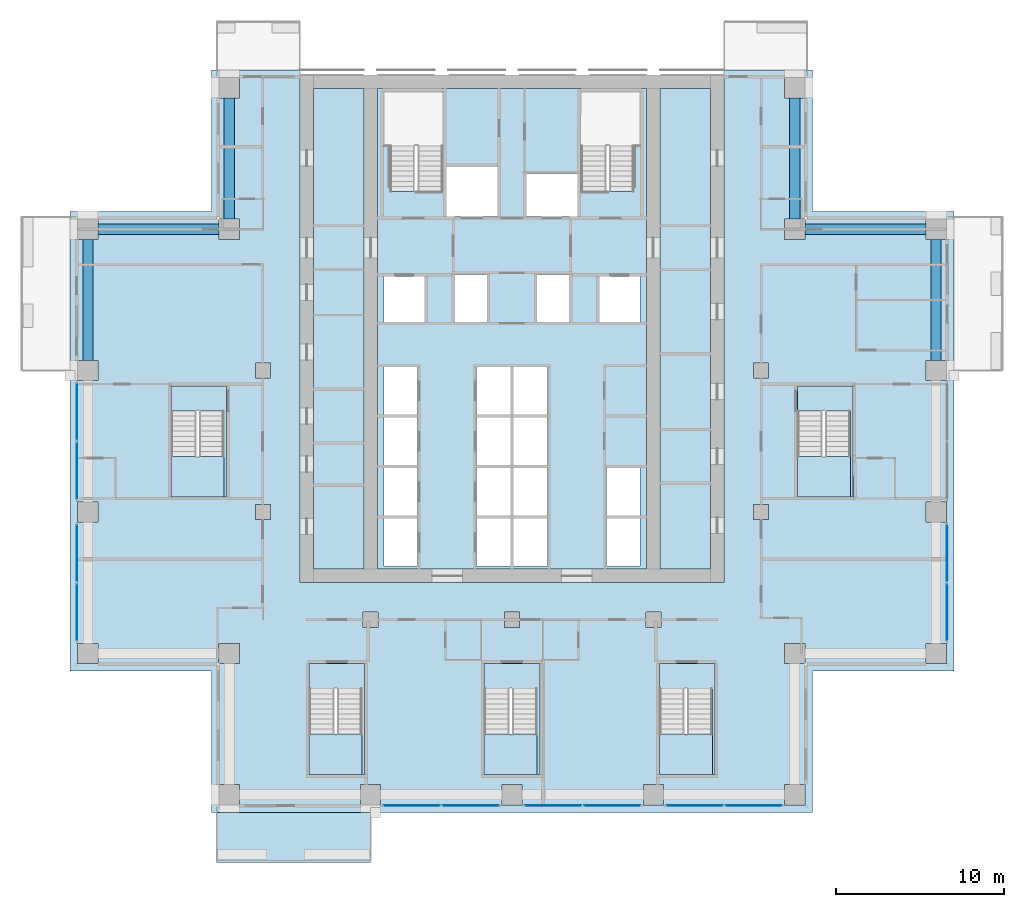
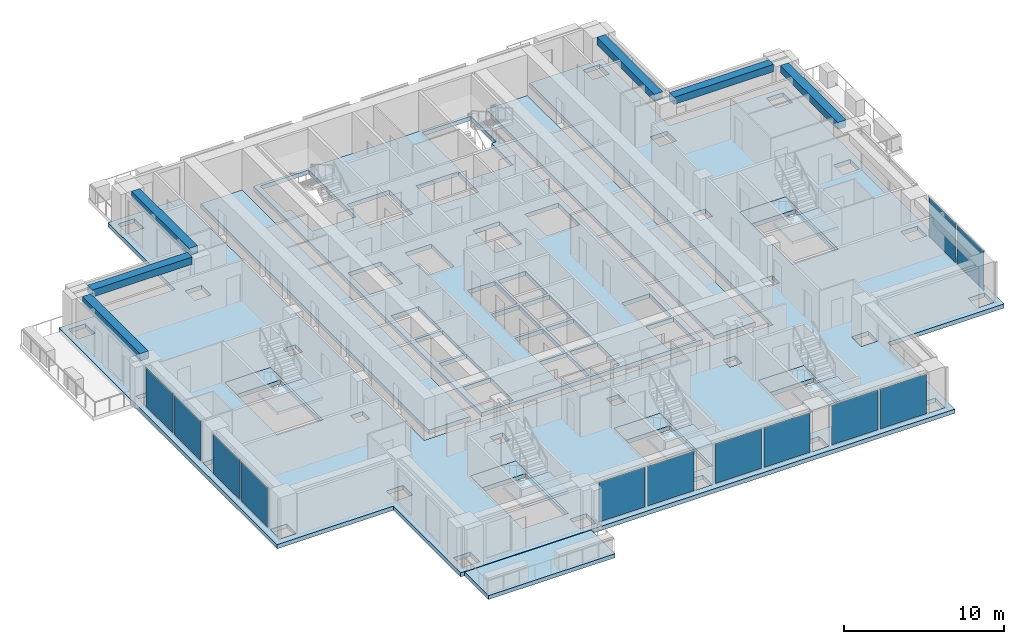
# One storey, part 5 of 17: 15 slabs, 12 plates, 6 beams, 11 elements without a shape of their own.
"""IFC4 building model written with IfcOpenShell, lengths in metres."""

from ifc_helpers import new_model, si_unit, direction, frame, origin, origin_2d, place, context, subcontext, project, spatial, polyline, rectangle, outline, extrude, material, layer, layer_set, material_profile, profile_set, type_object, element, aggregate, save


model = new_model("IFC4")

# Units and contexts
model_context = context("Model", 3, precision=1e-05, world=origin(), true_north=direction((0.0, 1.0)))
body_context = subcontext(model_context, "Body", "Model", "MODEL_VIEW")
ifc_project = project(units=[si_unit("LENGTHUNIT", "METRE"), si_unit("AREAUNIT", "SQUARE_METRE"), si_unit("VOLUMEUNIT", "CUBIC_METRE"), si_unit("PLANEANGLEUNIT", "RADIAN"), si_unit("MASSUNIT", "GRAM", prefix="KILO")], contexts=[model_context])

# Site, building, storey
site_placement = place(None, origin())
site = spatial("IfcSite", under=ifc_project, at=site_placement, CompositionType="ELEMENT")
building_placement = place(site_placement, origin())
building = spatial("IfcBuilding", under=site, at=building_placement, Name="Vermilion Ogive Tower", CompositionType="ELEMENT")
storey_placement = place(building_placement, frame((0.0, 0.0, 87.300048828125)))
storey = spatial("IfcBuildingStorey", under=building, at=storey_placement, Name="L21", CompositionType="ELEMENT", Elevation=87.300048828125)

# Beams
ifc_material_1 = material(Name="Concrete B45", Category="concrete")
ifc_material_profile = material_profile(ifc_material_1, rectangle(XDim=0.60009765625, YDim=0.550048828125, at=origin_2d()), Name="600 x 550")
ifc_profile_set = profile_set([ifc_material_profile], Name="Concrete B45")
beam_type = type_object("IfcBeamType", Name="Edge beam 600 x 550 B45", PredefinedType="BEAM", material=ifc_profile_set)
beam_1_placement = place(storey_placement, frame((25.199951171875, 4.800048828125, 2.85498046875), z_axis=(0.0, 1.0, 0.0), x_axis=(-1.0, 0.0, 0.0)))
element("IfcBeam", 1, at=beam_1_placement, inside=storey, type_object=beam_type, Name="L21-EB-9", PredefinedType="BEAM", context=body_context, shape_type="SweptSolid", body=[
    extrude(rectangle(XDim=0.60009765625, YDim=0.550048828125, at=origin_2d()), origin(), (0.0, 0.0, 1.0), 7.199951171875),
])
beam_2_placement = place(storey_placement, frame((24.60009765625, 12.60009765625, 2.85498046875), z_axis=(-1.0, 0.0, 0.0), x_axis=(0.0, -1.0, 0.0)))
element("IfcBeam", 2, at=beam_2_placement, inside=storey, type_object=beam_type, Name="L21-EB-10", PredefinedType="BEAM", context=body_context, shape_type="SweptSolid", body=[
    extrude(rectangle(XDim=0.60009765625, YDim=0.550048828125, at=origin_2d()), origin(), (0.0, 0.0, 1.0), 7.2001953125),
])
for number, where, z_axis, x_axis, name in (
    (3, (16.800048828125, 13.199951171875, 2.85498046875), (0.0, 1.0, 0.0), (-1.0, 0.0, 0.0), "L21-EB-11"),
    (4, (-16.800048828125, 20.39990234375, 2.85498046875), (0.0, -1.0, 0.0), (1.0, 0.0, 0.0), "L21-EB-12"),
):
    element("IfcBeam", number, at=place(storey_placement, frame(where, z_axis=z_axis, x_axis=x_axis)), inside=storey, type_object=beam_type, Name=name, PredefinedType="BEAM", context=body_context, shape_type="SweptSolid", body=[
        extrude(rectangle(XDim=0.60009765625, YDim=0.550048828125, at=origin_2d()), origin(), (0.0, 0.0, 1.0), 7.199951171875),
    ])
beam_3_placement = place(storey_placement, frame((-17.39990234375, 12.60009765625, 2.85498046875), z_axis=(-1.0, 0.0, 0.0), x_axis=(0.0, -1.0, 0.0)))
element("IfcBeam", 5, at=beam_3_placement, inside=storey, type_object=beam_type, Name="L21-EB-13", PredefinedType="BEAM", context=body_context, shape_type="SweptSolid", body=[
    extrude(rectangle(XDim=0.60009765625, YDim=0.550048828125, at=origin_2d()), origin(), (0.0, 0.0, 1.0), 7.2001953125),
])
beam_4_placement = place(storey_placement, frame((-25.199951171875, 12.0, 2.85498046875), z_axis=(0.0, -1.0, 0.0), x_axis=(1.0, 0.0, 0.0)))
element("IfcBeam", 6, at=beam_4_placement, inside=storey, type_object=beam_type, Name="L21-EB-14", PredefinedType="BEAM", context=body_context, shape_type="SweptSolid", body=[
    extrude(rectangle(XDim=0.60009765625, YDim=0.550048828125, at=origin_2d()), origin(), (0.0, 0.0, 1.0), 7.199951171875),
])

# Slab
ifc_material_2 = material(Name="Concrete B40", Category="concrete")
ifc_layer_1 = layer(ifc_material_2, 0.300048828125)
ifc_layer_set_1 = layer_set([ifc_layer_1], Name="Balcony slab")
slab_type_1 = type_object("IfcSlabType", Name="Balcony slab", PredefinedType="FLOOR", material=ifc_layer_set_1)
slab_1_placement = place(storey_placement, frame((0.0, 0.0, -0.340087890625)))
element("IfcSlab", 7, at=slab_1_placement, inside=storey, type_object=slab_type_1, Name="Balcony slab S01", PredefinedType="FLOOR", context=body_context, shape_type="SweptSolid", body=[
    extrude(outline(polyline([(-17.550048828125, -25.030029296875), (-8.39990234375, -25.030029296875), (-8.39990234375, -22.050048828125), (-17.550048828125, -22.050048828125), (-17.550048828125, -25.030029296875)])), origin(), (0.0, 0.0, 1.0), 0.300048828125),
])

# Curtain wall, plates
ifc_material_3 = material(Name="Low-iron laminated glazing in aluminium frame", Category="aluminium")
curtain_wall_type = type_object("IfcCurtainWallType", Name="Curtain wall CW7", PredefinedType="NOTDEFINED", material=ifc_material_3)
curtain_wall_1_placement = place(storey_placement, origin())
curtain_wall_1 = element("IfcCurtainWall", 8, at=curtain_wall_1_placement, inside=storey, type_object=curtain_wall_type, Name="Glazed skin S2", PredefinedType="NOTDEFINED")
ifc_material_4 = material(Name="Low-iron laminated glazing in aluminium frame", Category="aluminium")
ifc_layer_2 = layer(ifc_material_4, 0.031982421875)
ifc_layer_set_2 = layer_set([ifc_layer_2], Name="CW7 glazing panel 32")
plate_type = type_object("IfcPlateType", Name="CW7 glazing panel 32", PredefinedType="CURTAIN_PANEL", material=ifc_layer_set_2)
plate_1_placement = place(storey_placement, frame((-5.955078125, -21.64990234375, 0.06005859375), z_axis=(0.0, 0.0, 1.0), x_axis=(1.0, 0.0, 0.0)))
plate_1 = element("IfcPlate", 9, at=plate_1_placement, type_object=plate_type, Name="CW7-S2 panel 1.1", PredefinedType="CURTAIN_PANEL", context=body_context, shape_type="SweptSolid", body=[
    extrude(rectangle(XDim=3.330078125, YDim=0.031982421875, at=origin_2d()), origin(), (0.0, 0.0, 1.0), 3.010009765625),
])
plate_2_placement = place(storey_placement, frame((-2.445068359375, -21.64990234375, 0.06005859375), z_axis=(0.0, 0.0, 1.0), x_axis=(1.0, 0.0, 0.0)))
plate_2 = element("IfcPlate", 10, at=plate_2_placement, type_object=plate_type, Name="CW7-S2 panel 2.1", PredefinedType="CURTAIN_PANEL", context=body_context, shape_type="SweptSolid", body=[
    extrude(rectangle(XDim=3.330078125, YDim=0.031982421875, at=origin_2d()), origin(), (0.0, 0.0, 1.0), 3.010009765625),
])
aggregate(curtain_wall_1, [plate_1, plate_2])

curtain_wall_2_placement = place(storey_placement, origin())
curtain_wall_2 = element("IfcCurtainWall", 11, at=curtain_wall_2_placement, inside=storey, type_object=curtain_wall_type, Name="Glazed skin S3", PredefinedType="NOTDEFINED")
plate_3_placement = place(storey_placement, frame((2.445068359375, -21.64990234375, 0.06005859375), z_axis=(0.0, 0.0, 1.0), x_axis=(1.0, 0.0, 0.0)))
plate_3 = element("IfcPlate", 12, at=plate_3_placement, type_object=plate_type, Name="CW7-S3 panel 1.1", PredefinedType="CURTAIN_PANEL", context=body_context, shape_type="SweptSolid", body=[
    extrude(rectangle(XDim=3.330078125, YDim=0.031982421875, at=origin_2d()), origin(), (0.0, 0.0, 1.0), 3.010009765625),
])
plate_4_placement = place(storey_placement, frame((5.955078125, -21.64990234375, 0.06005859375), z_axis=(0.0, 0.0, 1.0), x_axis=(1.0, 0.0, 0.0)))
plate_4 = element("IfcPlate", 13, at=plate_4_placement, type_object=plate_type, Name="CW7-S3 panel 2.1", PredefinedType="CURTAIN_PANEL", context=body_context, shape_type="SweptSolid", body=[
    extrude(rectangle(XDim=3.330078125, YDim=0.031982421875, at=origin_2d()), origin(), (0.0, 0.0, 1.0), 3.010009765625),
])
aggregate(curtain_wall_2, [plate_3, plate_4])

curtain_wall_3_placement = place(storey_placement, origin())
curtain_wall_3 = element("IfcCurtainWall", 14, at=curtain_wall_3_placement, inside=storey, type_object=curtain_wall_type, Name="Glazed skin S4", PredefinedType="NOTDEFINED")
plate_5_placement = place(storey_placement, frame((10.844970703125, -21.64990234375, 0.06005859375), z_axis=(0.0, 0.0, 1.0), x_axis=(1.0, 0.0, 0.0)))
plate_5 = element("IfcPlate", 15, at=plate_5_placement, type_object=plate_type, Name="CW7-S4 panel 1.1", PredefinedType="CURTAIN_PANEL", context=body_context, shape_type="SweptSolid", body=[
    extrude(rectangle(XDim=3.330078125, YDim=0.031982421875, at=origin_2d()), origin(), (0.0, 0.0, 1.0), 3.010009765625),
])
plate_6_placement = place(storey_placement, frame((14.35498046875, -21.64990234375, 0.06005859375), z_axis=(0.0, 0.0, 1.0), x_axis=(1.0, 0.0, 0.0)))
plate_6 = element("IfcPlate", 16, at=plate_6_placement, type_object=plate_type, Name="CW7-S4 panel 2.1", PredefinedType="CURTAIN_PANEL", context=body_context, shape_type="SweptSolid", body=[
    extrude(rectangle(XDim=3.330078125, YDim=0.031982421875, at=origin_2d()), origin(), (0.0, 0.0, 1.0), 3.010009765625),
])
aggregate(curtain_wall_3, [plate_5, plate_6])

curtain_wall_4_placement = place(storey_placement, origin())
curtain_wall_4 = element("IfcCurtainWall", 17, at=curtain_wall_4_placement, inside=storey, type_object=curtain_wall_type, Name="Glazed skin E1", PredefinedType="NOTDEFINED")
plate_7_placement = place(storey_placement, frame((25.85009765625, -10.155029296875, 0.06005859375), z_axis=(0.0, 0.0, 1.0), x_axis=(0.0, 1.0, 0.0)))
plate_7 = element("IfcPlate", 18, at=plate_7_placement, type_object=plate_type, Name="CW7-E1 panel 1.1", PredefinedType="CURTAIN_PANEL", context=body_context, shape_type="SweptSolid", body=[
    extrude(rectangle(XDim=3.330078125, YDim=0.031982421875, at=origin_2d()), origin(), (0.0, 0.0, 1.0), 3.010009765625),
])
plate_8_placement = place(storey_placement, frame((25.85009765625, -6.64501953125, 0.06005859375), z_axis=(0.0, 0.0, 1.0), x_axis=(0.0, 1.0, 0.0)))
plate_8 = element("IfcPlate", 19, at=plate_8_placement, type_object=plate_type, Name="CW7-E1 panel 2.1", PredefinedType="CURTAIN_PANEL", context=body_context, shape_type="SweptSolid", body=[
    extrude(rectangle(XDim=3.330078125, YDim=0.031982421875, at=origin_2d()), origin(), (0.0, 0.0, 1.0), 3.010009765625),
])
aggregate(curtain_wall_4, [plate_7, plate_8])

curtain_wall_5_placement = place(storey_placement, origin())
curtain_wall_5 = element("IfcCurtainWall", 20, at=curtain_wall_5_placement, inside=storey, type_object=curtain_wall_type, Name="Glazed skin W2", PredefinedType="NOTDEFINED")
plate_9_placement = place(storey_placement, frame((-25.85009765625, 1.7548828125, 0.06005859375), z_axis=(0.0, 0.0, 1.0), x_axis=(0.0, -1.0, 0.0)))
plate_9 = element("IfcPlate", 21, at=plate_9_placement, type_object=plate_type, Name="CW7-W2 panel 1.1", PredefinedType="CURTAIN_PANEL", context=body_context, shape_type="SweptSolid", body=[
    extrude(rectangle(XDim=3.330078125, YDim=0.031982421875, at=origin_2d()), origin(), (0.0, 0.0, 1.0), 3.010009765625),
])
plate_10_placement = place(storey_placement, frame((-25.85009765625, -1.7548828125, 0.06005859375), z_axis=(0.0, 0.0, 1.0), x_axis=(0.0, -1.0, 0.0)))
plate_10 = element("IfcPlate", 22, at=plate_10_placement, type_object=plate_type, Name="CW7-W2 panel 2.1", PredefinedType="CURTAIN_PANEL", context=body_context, shape_type="SweptSolid", body=[
    extrude(rectangle(XDim=3.330078125, YDim=0.031982421875, at=origin_2d()), origin(), (0.0, 0.0, 1.0), 3.010009765625),
])
aggregate(curtain_wall_5, [plate_9, plate_10])

curtain_wall_6_placement = place(storey_placement, origin())
curtain_wall_6 = element("IfcCurtainWall", 23, at=curtain_wall_6_placement, inside=storey, type_object=curtain_wall_type, Name="Glazed skin W3", PredefinedType="NOTDEFINED")
plate_11_placement = place(storey_placement, frame((-25.85009765625, -6.64501953125, 0.06005859375), z_axis=(0.0, 0.0, 1.0), x_axis=(0.0, -1.0, 0.0)))
plate_11 = element("IfcPlate", 24, at=plate_11_placement, type_object=plate_type, Name="CW7-W3 panel 1.1", PredefinedType="CURTAIN_PANEL", context=body_context, shape_type="SweptSolid", body=[
    extrude(rectangle(XDim=3.330078125, YDim=0.031982421875, at=origin_2d()), origin(), (0.0, 0.0, 1.0), 3.010009765625),
])
plate_12_placement = place(storey_placement, frame((-25.85009765625, -10.155029296875, 0.06005859375), z_axis=(0.0, 0.0, 1.0), x_axis=(0.0, -1.0, 0.0)))
plate_12 = element("IfcPlate", 25, at=plate_12_placement, type_object=plate_type, Name="CW7-W3 panel 2.1", PredefinedType="CURTAIN_PANEL", context=body_context, shape_type="SweptSolid", body=[
    extrude(rectangle(XDim=3.330078125, YDim=0.031982421875, at=origin_2d()), origin(), (0.0, 0.0, 1.0), 3.010009765625),
])
aggregate(curtain_wall_6, [plate_11, plate_12])

# Slabs
ifc_material_5 = material(Name="Concrete B40", Category="concrete")
ifc_layer_3 = layer(ifc_material_5, 0.320068359375)
ifc_layer_set_3 = layer_set([ifc_layer_3], Name="Core floor slab 320 B40")
slab_type_2 = type_object("IfcSlabType", Name="Core floor slab 320 B40", PredefinedType="FLOOR", material=ifc_layer_set_3)
slab_2_placement = place(storey_placement, frame((0.0, 0.0, -0.320068359375)))
element("IfcSlab", 26, at=slab_2_placement, inside=storey, type_object=slab_type_2, Name="L21-CK-FS1", PredefinedType="FLOOR", context=body_context, shape_type="SweptSolid", body=[
    extrude(outline(polyline([(-8.803955078125, 20.946044921875), (-8.803955078125, -7.595947265625), (-11.7958984375, -7.595947265625), (-11.7958984375, 20.946044921875), (-8.803955078125, 20.946044921875)])), origin(), (0.0, 0.0, 1.0), 0.320068359375),
])
slab_3_placement = place(storey_placement, frame((0.0, 0.0, -0.320068359375)))
element("IfcSlab", 27, at=slab_3_placement, inside=storey, type_object=slab_type_2, Name="L21-CK-FS2", PredefinedType="FLOOR", context=body_context, shape_type="SweptSolid", body=[
    extrude(outline(polyline([(-7.99609375, 20.946044921875), (-7.99609375, -7.595947265625), (7.99609375, -7.595947265625), (7.99609375, 20.946044921875), (-7.99609375, 20.946044921875)]), holes=[polyline([(-7.60009765625, -4.60009765625), (-5.60009765625, -4.60009765625), (-5.60009765625, -7.39990234375), (-7.60009765625, -7.39990234375), (-7.60009765625, -4.60009765625)]), polyline([(-2.10009765625, -4.60009765625), (-0.10009765625, -4.60009765625), (-0.10009765625, -7.39990234375), (-2.10009765625, -7.39990234375), (-2.10009765625, -4.60009765625)]), polyline([(-7.60009765625, -4.39990234375), (-7.60009765625, -1.60009765625), (-5.60009765625, -1.60009765625), (-5.60009765625, -4.39990234375), (-7.60009765625, -4.39990234375)]), polyline([(-2.10009765625, -1.60009765625), (-0.10009765625, -1.60009765625), (-0.10009765625, -4.39990234375), (-2.10009765625, -4.39990234375), (-2.10009765625, -1.60009765625)]), polyline([(-7.60009765625, -1.39990234375), (-7.60009765625, 1.39990234375), (-5.60009765625, 1.39990234375), (-5.60009765625, -1.39990234375), (-7.60009765625, -1.39990234375)]), polyline([(-2.10009765625, 1.39990234375), (-0.10009765625, 1.39990234375), (-0.10009765625, -1.39990234375), (-2.10009765625, -1.39990234375), (-2.10009765625, 1.39990234375)]), polyline([(-7.60009765625, 4.39990234375), (-5.60009765625, 4.39990234375), (-5.60009765625, 1.60009765625), (-7.60009765625, 1.60009765625), (-7.60009765625, 4.39990234375)]), polyline([(-2.10009765625, 4.39990234375), (-0.10009765625, 4.39990234375), (-0.10009765625, 1.60009765625), (-2.10009765625, 1.60009765625), (-2.10009765625, 4.39990234375)]), polyline([(-7.60009765625, 9.800048828125), (-5.199951171875, 9.800048828125), (-5.199951171875, 7.10009765625), (-7.60009765625, 7.10009765625), (-7.60009765625, 9.800048828125)]), polyline([(-3.39990234375, 9.89990234375), (-1.5, 9.89990234375), (-1.5, 7.10009765625), (-3.39990234375, 7.10009765625), (-3.39990234375, 9.89990234375)]), polyline([(-3.89990234375, 16.300048828125), (-0.85009765625, 16.300048828125), (-0.85009765625, 13.35009765625), (-3.89990234375, 13.35009765625), (-3.89990234375, 16.300048828125)]), polyline([(-7.60009765625, 17.550048828125), (-7.60009765625, 20.75), (-4.10009765625, 20.75), (-4.10009765625, 14.85205078125), (-5.60009765625, 14.85205078125), (-5.60009765625, 14.85009765625), (-5.75, 14.85009765625), (-5.75, 14.85205078125), (-7.25, 14.85205078125), (-7.25, 17.550048828125), (-7.60009765625, 17.550048828125)]), polyline([(0.10009765625, -4.60009765625), (2.10009765625, -4.60009765625), (2.10009765625, -7.39990234375), (0.10009765625, -7.39990234375), (0.10009765625, -4.60009765625)]), polyline([(5.60009765625, -4.60009765625), (7.60009765625, -4.60009765625), (7.60009765625, -7.39990234375), (5.60009765625, -7.39990234375), (5.60009765625, -4.60009765625)]), polyline([(0.10009765625, -1.60009765625), (2.10009765625, -1.60009765625), (2.10009765625, -4.39990234375), (0.10009765625, -4.39990234375), (0.10009765625, -1.60009765625)]), polyline([(5.60009765625, -1.60009765625), (7.60009765625, -1.60009765625), (7.60009765625, -4.39990234375), (5.60009765625, -4.39990234375), (5.60009765625, -1.60009765625)]), polyline([(0.10009765625, 1.39990234375), (2.10009765625, 1.39990234375), (2.10009765625, -1.39990234375), (0.10009765625, -1.39990234375), (0.10009765625, 1.39990234375)]), polyline([(0.10009765625, 4.39990234375), (2.10009765625, 4.39990234375), (2.10009765625, 1.60009765625), (0.10009765625, 1.60009765625), (0.10009765625, 4.39990234375)]), polyline([(5.199951171875, 9.800048828125), (7.60009765625, 9.800048828125), (7.60009765625, 7.10009765625), (5.199951171875, 7.10009765625), (5.199951171875, 9.800048828125)]), polyline([(1.5, 9.89990234375), (3.39990234375, 9.89990234375), (3.39990234375, 7.10009765625), (1.5, 7.10009765625), (1.5, 9.89990234375)]), polyline([(0.85009765625, 15.89990234375), (3.89990234375, 15.89990234375), (3.89990234375, 13.35009765625), (0.85009765625, 13.35009765625), (0.85009765625, 15.89990234375)]), polyline([(5.75, 14.85009765625), (5.60009765625, 14.85009765625), (5.60009765625, 14.85205078125), (4.10009765625, 14.85205078125), (4.10009765625, 17.550048828125), (4.074951171875, 17.550048828125), (4.074951171875, 20.75), (7.60009765625, 20.75), (7.60009765625, 17.550048828125), (7.25, 17.550048828125), (7.25, 14.85205078125), (5.75, 14.85205078125), (5.75, 14.85009765625)])]), origin(), (0.0, 0.0, 1.0), 0.320068359375),
])
slab_4_placement = place(storey_placement, frame((0.0, 0.0, -0.320068359375)))
element("IfcSlab", 28, at=slab_4_placement, inside=storey, type_object=slab_type_2, Name="L21-CK-FS3", PredefinedType="FLOOR", context=body_context, shape_type="SweptSolid", body=[
    extrude(outline(polyline([(11.7958984375, -7.595947265625), (8.803955078125, -7.595947265625), (8.803955078125, 20.946044921875), (11.7958984375, 20.946044921875), (11.7958984375, -7.595947265625)])), origin(), (0.0, 0.0, 1.0), 0.320068359375),
])
slab_5_placement = place(storey_placement, frame((0.0, 0.0, -0.320068359375)))
element("IfcSlab", 29, at=slab_5_placement, inside=storey, type_object=slab_type_2, Name="L21-SF-ST3-1", PredefinedType="FLOOR", context=body_context, shape_type="SweptSolid", body=[
    extrude(outline(polyline([(-12.050048828125, -13.199951171875), (-12.050048828125, -14.701904296875), (-10.550048828125, -14.701904296875), (-10.550048828125, -14.699951171875), (-10.39990234375, -14.699951171875), (-10.39990234375, -14.701904296875), (-8.89990234375, -14.701904296875), (-8.89990234375, -19.800048828125), (-8.75, -19.800048828125), (-8.75, -13.199951171875), (-12.050048828125, -13.199951171875)])), origin(), (0.0, 0.0, 1.0), 0.320068359375),
])
slab_6_placement = place(storey_placement, frame((0.0, 0.0, -0.320068359375)))
element("IfcSlab", 30, at=slab_6_placement, inside=storey, type_object=slab_type_2, Name="L21-SF-ST4-1", PredefinedType="FLOOR", context=body_context, shape_type="SweptSolid", body=[
    extrude(outline(polyline([(-1.64990234375, -13.199951171875), (-1.64990234375, -14.701904296875), (-0.14990234375, -14.701904296875), (-0.14990234375, -14.699951171875), (0.0, -14.699951171875), (0.0, -14.701904296875), (1.5, -14.701904296875), (1.5, -19.800048828125), (1.64990234375, -19.800048828125), (1.64990234375, -13.199951171875), (-1.64990234375, -13.199951171875)])), origin(), (0.0, 0.0, 1.0), 0.320068359375),
])
slab_7_placement = place(storey_placement, frame((0.0, 0.0, -0.320068359375)))
element("IfcSlab", 31, at=slab_7_placement, inside=storey, type_object=slab_type_2, Name="L21-SF-ST5-1", PredefinedType="FLOOR", context=body_context, shape_type="SweptSolid", body=[
    extrude(outline(polyline([(8.75, -13.199951171875), (8.75, -14.701904296875), (10.25, -14.701904296875), (10.25, -14.699951171875), (10.39990234375, -14.699951171875), (10.39990234375, -14.701904296875), (11.89990234375, -14.701904296875), (11.89990234375, -19.800048828125), (12.050048828125, -19.800048828125), (12.050048828125, -13.199951171875), (8.75, -13.199951171875)])), origin(), (0.0, 0.0, 1.0), 0.320068359375),
])
slab_8_placement = place(storey_placement, frame((0.0, 0.0, -0.320068359375)))
element("IfcSlab", 32, at=slab_8_placement, inside=storey, type_object=slab_type_2, Name="L21-SF-ST8-1", PredefinedType="FLOOR", context=body_context, shape_type="SweptSolid", body=[
    extrude(outline(polyline([(16.949951171875, 3.300048828125), (16.949951171875, 1.798095703125), (18.449951171875, 1.798095703125), (18.449951171875, 1.800048828125), (18.60009765625, 1.800048828125), (18.60009765625, 1.798095703125), (20.10009765625, 1.798095703125), (20.10009765625, -3.300048828125), (20.25, -3.300048828125), (20.25, 3.300048828125), (16.949951171875, 3.300048828125)])), origin(), (0.0, 0.0, 1.0), 0.320068359375),
])
slab_9_placement = place(storey_placement, frame((0.0, 0.0, -0.320068359375)))
element("IfcSlab", 33, at=slab_9_placement, inside=storey, type_object=slab_type_2, Name="L21-SF-ST9-1", PredefinedType="FLOOR", context=body_context, shape_type="SweptSolid", body=[
    extrude(outline(polyline([(-20.25, 3.300048828125), (-20.25, 1.798095703125), (-18.75, 1.798095703125), (-18.75, 1.800048828125), (-18.60009765625, 1.800048828125), (-18.60009765625, 1.798095703125), (-17.10009765625, 1.798095703125), (-17.10009765625, -3.300048828125), (-16.949951171875, -3.300048828125), (-16.949951171875, 3.300048828125), (-20.25, 3.300048828125)])), origin(), (0.0, 0.0, 1.0), 0.320068359375),
])
ifc_material_6 = material(Name="Concrete B45", Category="concrete")
ifc_layer_4 = layer(ifc_material_6, 0.320068359375)
ifc_layer_set_4 = layer_set([ifc_layer_4], Name="Post-tensioned flat plate 320 B45")
slab_type_3 = type_object("IfcSlabType", Name="Post-tensioned flat plate 320 B45", PredefinedType="FLOOR", material=ifc_layer_set_4)
slab_10_placement = place(storey_placement, frame((0.0, 0.0, -0.320068359375)))
element("IfcSlab", 34, at=slab_10_placement, inside=storey, type_object=slab_type_3, Name="L21-SL-1", PredefinedType="FLOOR", context=body_context, shape_type="SweptSolid", body=[
    extrude(outline(polyline([(-26.25, -13.64990234375), (-17.85009765625, -13.64990234375), (-17.85009765625, -22.050048828125), (17.85009765625, -22.050048828125), (17.85009765625, -13.64990234375), (26.25, -13.64990234375), (26.25, 13.64990234375), (17.85009765625, 13.64990234375), (17.85009765625, 22.050048828125), (12.60009765625, 22.050048828125), (12.60009765625, -8.39990234375), (-12.60009765625, -8.39990234375), (-12.60009765625, 22.050048828125), (-17.85009765625, 22.050048828125), (-17.85009765625, 13.64990234375), (-26.25, 13.64990234375), (-26.25, -13.64990234375)]), holes=[polyline([(25.800048828125, -3.60009765625), (25.800048828125, -4.800048828125), (24.60009765625, -4.800048828125), (24.60009765625, -3.60009765625), (25.800048828125, -3.60009765625)]), polyline([(25.800048828125, -12.0), (25.800048828125, -13.199951171875), (24.60009765625, -13.199951171875), (24.60009765625, -12.0), (25.800048828125, -12.0)]), polyline([(25.800048828125, 12.0), (24.60009765625, 12.0), (24.60009765625, 13.199951171875), (25.800048828125, 13.199951171875), (25.800048828125, 12.0)]), polyline([(25.800048828125, 3.60009765625), (24.60009765625, 3.60009765625), (24.60009765625, 4.800048828125), (25.800048828125, 4.800048828125), (25.800048828125, 3.60009765625)]), polyline([(20.25, -3.2998046875), (20.25, -3.300048828125), (16.949951171875, -3.300048828125), (16.949951171875, 3.300048828125), (20.25, 3.300048828125), (20.25, -0.89990234375), (20.275146484375, -0.89990234375), (20.275146484375, -3.2998046875), (20.25, -3.2998046875)]), polyline([(17.39990234375, -12.0), (17.39990234375, -13.199951171875), (16.199951171875, -13.199951171875), (16.199951171875, -12.0), (17.39990234375, -12.0)]), polyline([(17.39990234375, 20.39990234375), (16.199951171875, 20.39990234375), (16.199951171875, 21.60009765625), (17.39990234375, 21.60009765625), (17.39990234375, 20.39990234375)]), polyline([(17.39990234375, -20.39990234375), (17.39990234375, -21.60009765625), (16.199951171875, -21.60009765625), (16.199951171875, -20.39990234375), (17.39990234375, -20.39990234375)]), polyline([(17.39990234375, 13.199951171875), (17.39990234375, 12.0), (16.199951171875, 12.0), (16.199951171875, 13.199951171875), (17.39990234375, 13.199951171875)]), polyline([(15.25, 4.64990234375), (15.25, 3.75), (14.35009765625, 3.75), (14.35009765625, 4.64990234375), (15.25, 4.64990234375)]), polyline([(15.25, -4.64990234375), (14.35009765625, -4.64990234375), (14.35009765625, -3.75), (15.25, -3.75), (15.25, -4.64990234375)]), polyline([(12.050048828125, -13.199951171875), (12.050048828125, -19.800048828125), (8.75, -19.800048828125), (8.75, -13.199951171875), (12.050048828125, -13.199951171875)]), polyline([(9.0, -20.39990234375), (9.0, -21.60009765625), (7.800048828125, -21.60009765625), (7.800048828125, -20.39990234375), (9.0, -20.39990234375)]), polyline([(8.85009765625, -11.050048828125), (7.949951171875, -11.050048828125), (7.949951171875, -10.14990234375), (8.85009765625, -10.14990234375), (8.85009765625, -11.050048828125)]), polyline([(1.64990234375, -13.199951171875), (1.64990234375, -19.800048828125), (-1.64990234375, -19.800048828125), (-1.64990234375, -13.199951171875), (1.64990234375, -13.199951171875)]), polyline([(0.60009765625, -20.39990234375), (0.60009765625, -21.60009765625), (-0.60009765625, -21.60009765625), (-0.60009765625, -20.39990234375), (0.60009765625, -20.39990234375)]), polyline([(0.449951171875, -10.14990234375), (0.449951171875, -11.050048828125), (-0.449951171875, -11.050048828125), (-0.449951171875, -10.14990234375), (0.449951171875, -10.14990234375)]), polyline([(-7.800048828125, -20.39990234375), (-7.800048828125, -21.60009765625), (-9.0, -21.60009765625), (-9.0, -20.39990234375), (-7.800048828125, -20.39990234375)]), polyline([(-7.949951171875, -10.14990234375), (-7.949951171875, -11.050048828125), (-8.85009765625, -11.050048828125), (-8.85009765625, -10.14990234375), (-7.949951171875, -10.14990234375)]), polyline([(-8.75, -13.199951171875), (-8.75, -19.800048828125), (-12.050048828125, -19.800048828125), (-12.050048828125, -13.199951171875), (-8.75, -13.199951171875)]), polyline([(-14.35009765625, 4.64990234375), (-14.35009765625, 3.75), (-15.25, 3.75), (-15.25, 4.64990234375), (-14.35009765625, 4.64990234375)]), polyline([(-14.35009765625, -4.64990234375), (-15.25, -4.64990234375), (-15.25, -3.75), (-14.35009765625, -3.75), (-14.35009765625, -4.64990234375)]), polyline([(-16.199951171875, 13.199951171875), (-16.199951171875, 12.0), (-17.39990234375, 12.0), (-17.39990234375, 13.199951171875), (-16.199951171875, 13.199951171875)]), polyline([(-16.199951171875, -12.0), (-16.199951171875, -13.199951171875), (-17.39990234375, -13.199951171875), (-17.39990234375, -12.0), (-16.199951171875, -12.0)]), polyline([(-16.199951171875, -20.39990234375), (-16.199951171875, -21.60009765625), (-17.39990234375, -21.60009765625), (-17.39990234375, -20.39990234375), (-16.199951171875, -20.39990234375)]), polyline([(-16.199951171875, 20.39990234375), (-17.39990234375, 20.39990234375), (-17.39990234375, 21.60009765625), (-16.199951171875, 21.60009765625), (-16.199951171875, 20.39990234375)]), polyline([(-16.949951171875, 3.300048828125), (-16.949951171875, -3.300048828125), (-20.25, -3.300048828125), (-20.25, 3.300048828125), (-16.949951171875, 3.300048828125)]), polyline([(-24.60009765625, 3.60009765625), (-25.800048828125, 3.60009765625), (-25.800048828125, 4.800048828125), (-24.60009765625, 4.800048828125), (-24.60009765625, 3.60009765625)]), polyline([(-24.60009765625, 13.199951171875), (-24.60009765625, 12.0), (-25.800048828125, 12.0), (-25.800048828125, 13.199951171875), (-24.60009765625, 13.199951171875)]), polyline([(-24.60009765625, -3.60009765625), (-24.60009765625, -4.800048828125), (-25.800048828125, -4.800048828125), (-25.800048828125, -3.60009765625), (-24.60009765625, -3.60009765625)]), polyline([(-24.60009765625, -12.0), (-24.60009765625, -13.199951171875), (-25.800048828125, -13.199951171875), (-25.800048828125, -12.0), (-24.60009765625, -12.0)])]), origin(), (0.0, 0.0, 1.0), 0.320068359375),
])

# Stair, slab
ifc_material_7 = material(Name="Concrete B40", Category="concrete")
stair_type = type_object("IfcStairType", Name="Exit stair 1500", PredefinedType="HALF_TURN_STAIR", material=ifc_material_7)
stair_1_placement = place(storey_placement, origin())
stair_1 = element("IfcStair", 35, at=stair_1_placement, inside=storey, type_object=stair_type, Name="L21 Exit Stair ST3", PredefinedType="HALF_TURN_STAIR")
ifc_material_8 = material(Name="Concrete B40", Category="concrete")
ifc_layer_5 = layer(ifc_material_8, 0.199951171875)
ifc_layer_set_5 = layer_set([ifc_layer_5], Name="Stair landing 200")
slab_type_4 = type_object("IfcSlabType", Name="Stair landing 200", PredefinedType="LANDING", material=ifc_layer_set_5)
slab_11_placement = place(storey_placement, frame((0.0, 0.0, 1.52490234375)))
slab_11 = element("IfcSlab", 36, at=slab_11_placement, type_object=slab_type_4, Name="ST3 landing 1", PredefinedType="LANDING", context=body_context, shape_type="SweptSolid", body=[
    extrude(outline(polyline([(-8.75, -17.39990234375), (-8.89990234375, -17.39990234375), (-8.89990234375, -17.39794921875), (-10.39990234375, -17.39794921875), (-10.39990234375, -17.39990234375), (-10.550048828125, -17.39990234375), (-10.550048828125, -17.39794921875), (-12.050048828125, -17.39794921875), (-12.050048828125, -19.800048828125), (-8.75, -19.800048828125), (-8.75, -17.39990234375)])), origin(), (0.0, 0.0, 1.0), 0.199951171875),
])
aggregate(stair_1, [slab_11])

stair_2_placement = place(storey_placement, origin())
stair_2 = element("IfcStair", 37, at=stair_2_placement, inside=storey, type_object=stair_type, Name="L21 Exit Stair ST4", PredefinedType="HALF_TURN_STAIR")
slab_12_placement = place(storey_placement, frame((0.0, 0.0, 1.52490234375)))
slab_12 = element("IfcSlab", 38, at=slab_12_placement, type_object=slab_type_4, Name="ST4 landing 1", PredefinedType="LANDING", context=body_context, shape_type="SweptSolid", body=[
    extrude(outline(polyline([(1.64990234375, -17.39990234375), (1.5, -17.39990234375), (1.5, -17.39794921875), (0.0, -17.39794921875), (0.0, -17.39990234375), (-0.14990234375, -17.39990234375), (-0.14990234375, -17.39794921875), (-1.64990234375, -17.39794921875), (-1.64990234375, -19.7998046875), (1.64990234375, -19.7998046875), (1.64990234375, -17.39990234375)])), origin(), (0.0, 0.0, 1.0), 0.199951171875),
])
aggregate(stair_2, [slab_12])

stair_3_placement = place(storey_placement, origin())
stair_3 = element("IfcStair", 39, at=stair_3_placement, inside=storey, type_object=stair_type, Name="L21 Exit Stair ST5", PredefinedType="HALF_TURN_STAIR")
slab_13_placement = place(storey_placement, frame((0.0, 0.0, 1.52490234375)))
slab_13 = element("IfcSlab", 40, at=slab_13_placement, type_object=slab_type_4, Name="ST5 landing 1", PredefinedType="LANDING", context=body_context, shape_type="SweptSolid", body=[
    extrude(outline(polyline([(12.050048828125, -17.39990234375), (11.89990234375, -17.39990234375), (11.89990234375, -17.39794921875), (10.39990234375, -17.39794921875), (10.39990234375, -17.39990234375), (10.25, -17.39990234375), (10.25, -17.39794921875), (8.75, -17.39794921875), (8.75, -19.800048828125), (12.050048828125, -19.800048828125), (12.050048828125, -17.39990234375)])), origin(), (0.0, 0.0, 1.0), 0.199951171875),
])
aggregate(stair_3, [slab_13])

stair_4_placement = place(storey_placement, origin())
stair_4 = element("IfcStair", 41, at=stair_4_placement, inside=storey, type_object=stair_type, Name="L21 Exit Stair ST8", PredefinedType="HALF_TURN_STAIR")
slab_14_placement = place(storey_placement, frame((0.0, 0.0, 1.52490234375)))
slab_14 = element("IfcSlab", 42, at=slab_14_placement, type_object=slab_type_4, Name="ST8 landing 1", PredefinedType="LANDING", context=body_context, shape_type="SweptSolid", body=[
    extrude(outline(polyline([(20.275146484375, -0.89990234375), (20.10009765625, -0.89990234375), (20.10009765625, -0.89794921875), (18.60009765625, -0.89794921875), (18.60009765625, -0.89990234375), (18.449951171875, -0.89990234375), (18.449951171875, -0.89794921875), (16.949951171875, -0.89794921875), (16.949951171875, -0.902099609375), (16.9501953125, -0.902099609375), (16.9501953125, -3.2998046875), (20.275146484375, -3.2998046875), (20.275146484375, -0.89990234375)])), origin(), (0.0, 0.0, 1.0), 0.199951171875),
])
aggregate(stair_4, [slab_14])

stair_5_placement = place(storey_placement, origin())
stair_5 = element("IfcStair", 43, at=stair_5_placement, inside=storey, type_object=stair_type, Name="L21 Exit Stair ST9", PredefinedType="HALF_TURN_STAIR")
slab_15_placement = place(storey_placement, frame((0.0, 0.0, 1.52490234375)))
slab_15 = element("IfcSlab", 44, at=slab_15_placement, type_object=slab_type_4, Name="ST9 landing 1", PredefinedType="LANDING", context=body_context, shape_type="SweptSolid", body=[
    extrude(outline(polyline([(-16.9501953125, -0.89990234375), (-17.10009765625, -0.89990234375), (-17.10009765625, -0.89794921875), (-18.60009765625, -0.89794921875), (-18.60009765625, -0.89990234375), (-18.75, -0.89990234375), (-18.75, -0.89794921875), (-20.25, -0.89794921875), (-20.25, -0.89990234375), (-20.25, -0.89990234375), (-20.25, -3.2998046875), (-16.9501953125, -3.2998046875), (-16.9501953125, -0.89990234375)])), origin(), (0.0, 0.0, 1.0), 0.199951171875),
])
aggregate(stair_5, [slab_15])

save(model, "model.ifc")
